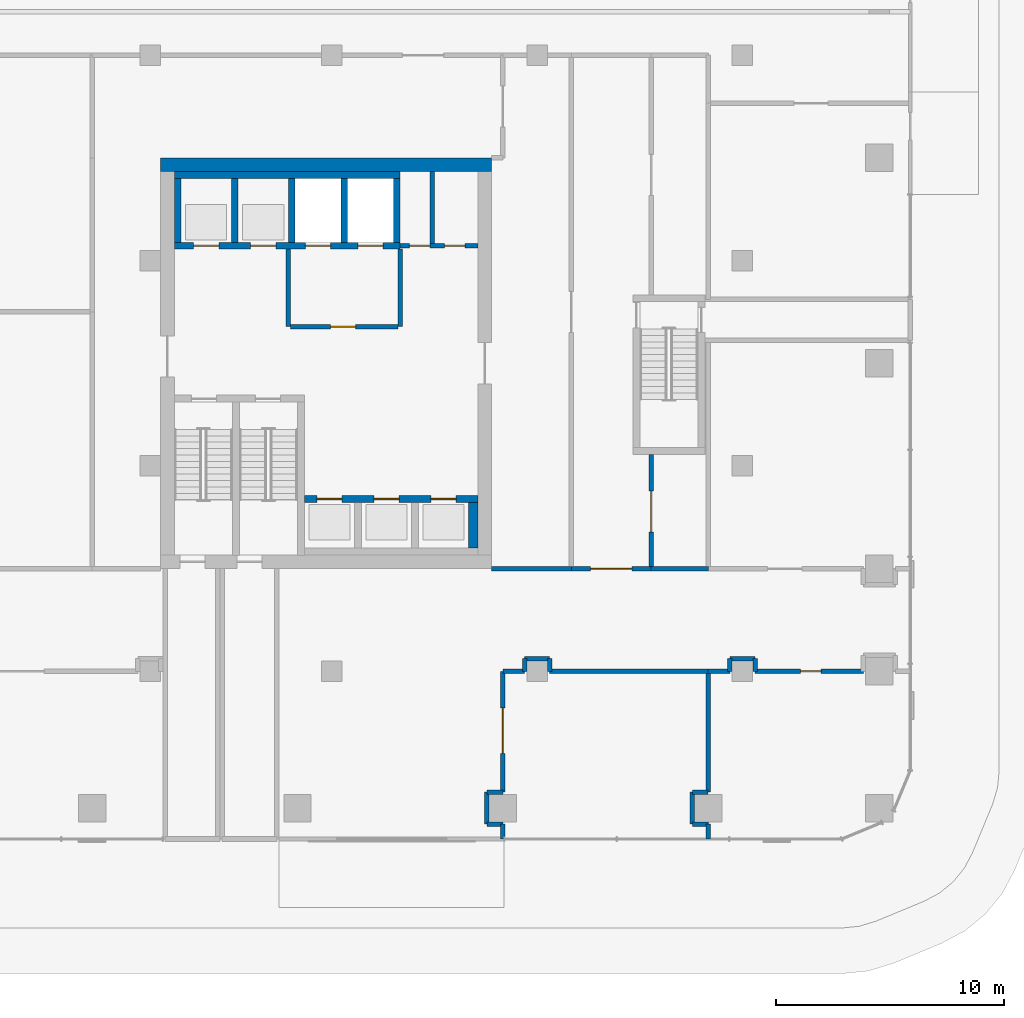
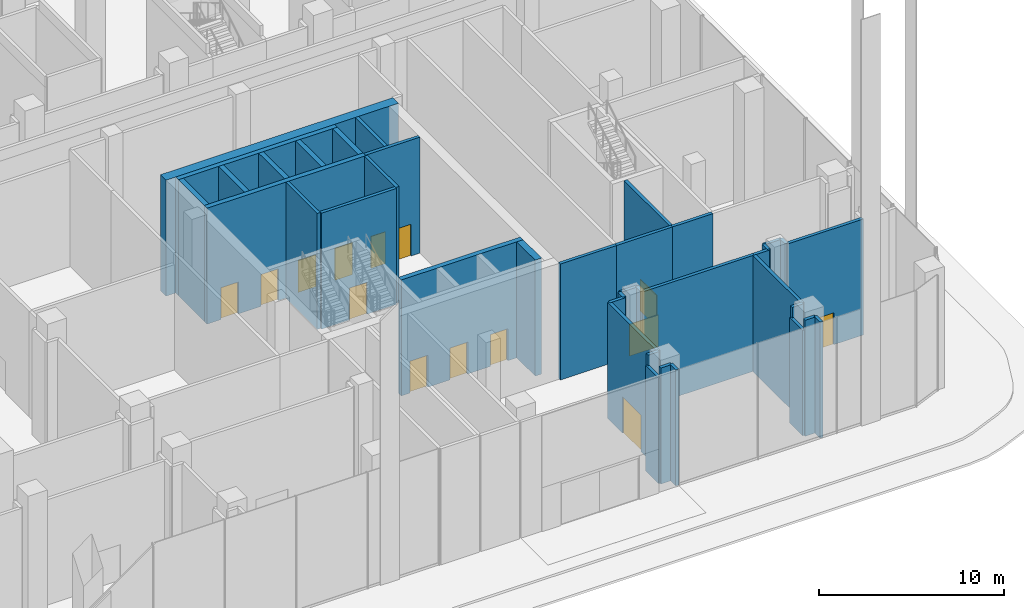
# One storey, part 22 of 42: 39 walls, 14 doors, 14 openings.
"""IFC4 building model written with IfcOpenShell, lengths in metres."""

from ifc_helpers import new_model, si_unit, direction, frame, frame_2d, origin, place, context, subcontext, project, spatial, rectangle, extrude, material, layer, layer_set, type_object, element, fill, save


model = new_model("IFC4")

# Units and contexts
model_context = context("Model", 3, precision=1e-05, world=origin(), true_north=direction((0.0, 1.0)))
body_context = subcontext(model_context, "Body", "Model", "MODEL_VIEW")
ifc_project = project(units=[si_unit("LENGTHUNIT", "METRE"), si_unit("AREAUNIT", "SQUARE_METRE"), si_unit("VOLUMEUNIT", "CUBIC_METRE"), si_unit("PLANEANGLEUNIT", "RADIAN"), si_unit("MASSUNIT", "GRAM", prefix="KILO")], contexts=[model_context])

# Site, building, storey
site_placement = place(None, origin())
site = spatial("IfcSite", under=ifc_project, at=site_placement, CompositionType="ELEMENT")
building_placement = place(site_placement, origin())
building = spatial("IfcBuilding", under=site, at=building_placement, Name="Plateau Cross Towers", CompositionType="ELEMENT")
storey_placement = place(building_placement, origin())
storey = spatial("IfcBuildingStorey", under=building, at=storey_placement, Name="L00", CompositionType="ELEMENT", Elevation=0.0)

# Wall
ifc_material_1 = material(Name="Concrete block, plastered both sides", Category="concrete")
ifc_layer_1 = layer(ifc_material_1, 0.199951171875)
ifc_layer_set_1 = layer_set([ifc_layer_1], Name="Concrete block, plastered both sides")
wall_type_1 = type_object("IfcWallType", Name="Core partition 200", PredefinedType="PARTITIONING", material=ifc_layer_set_1)
wall_1_placement = place(storey_placement, frame((80.60009765625, 10.60009765625, 0.0), z_axis=(0.0, 0.0, 1.0), x_axis=(0.0, 1.0, 0.0)))
element("IfcWall", 1, at=wall_1_placement, inside=storey, type_object=wall_type_1, Name="Core partition", PredefinedType="PARTITIONING", context=body_context, shape_type="SweptSolid", body=[
    extrude(rectangle(XDim=3.39990234375, YDim=0.199951171875, at=frame_2d((1.699951171875, 0.0))), origin(), (0.0, 0.0, 1.0), 7.64990234375),
])

# Wall, opening, door
wall_2_placement = place(storey_placement, frame((80.699951171875, 10.60009765625, 0.0), z_axis=(0.0, 0.0, 1.0), x_axis=(1.0, 0.0, 0.0)))
wall_2 = element("IfcWall", 2, at=wall_2_placement, inside=storey, type_object=wall_type_1, Name="Core partition", PredefinedType="PARTITIONING", context=body_context, shape_type="SweptSolid", body=[
    extrude(rectangle(XDim=4.699951171875, YDim=0.199951171875, at=frame_2d((2.35009765625, 0.0))), origin(), (0.0, 0.0, 1.0), 7.64990234375),
])
opening_1_placement = place(wall_2_placement, frame((1.75, 0.0, 0.0)))
opening_1 = element("IfcOpeningElement", 3, at=opening_1_placement, cuts=wall_2, Name="Opening FFD", PredefinedType="OPENING", context=body_context, shape_type="SweptSolid", body=[
    extrude(rectangle(XDim=1.10009765625, YDim=2.10009765625, at=frame_2d((0.550048828125, 1.050048828125))), frame((0.0, 0.10986328125, 0.0), z_axis=(0.0, -1.0, 0.0), x_axis=(1.0, 0.0, 0.0)), (0.0, 0.0, 1.0), 0.219970703125),
])
ifc_material_2 = material(Name="Steel, fire-resisting leaf", Category="steel")
door_type_1 = type_object("IfcDoorType", Name="Firefighting lobby door 1100", OperationType="NOTDEFINED", PredefinedType="DOOR", material=ifc_material_2)
door_1_placement = place(opening_1_placement, origin())
door_1 = element("IfcDoor", 4, at=door_1_placement, inside=storey, type_object=door_type_1, Name="Firefighting lobby door FFD", OperationType="SINGLE_SWING_LEFT", OverallHeight=2.10009765625, OverallWidth=1.10009765625, PredefinedType="DOOR", context=body_context, shape_type="SweptSolid", body=[
    extrude(rectangle(XDim=1.10009765625, YDim=2.10009765625, at=frame_2d((0.550048828125, 1.050048828125))), frame((0.0, 0.02490234375, 0.0), z_axis=(0.0, -1.0, 0.0), x_axis=(1.0, 0.0, 0.0)), (0.0, 0.0, 1.0), 0.050048828125),
])
fill(opening_1, door_1)

# Wall
wall_3_placement = place(storey_placement, frame((85.5, 10.60009765625, 0.0), z_axis=(0.0, 0.0, 1.0), x_axis=(0.0, 1.0, 0.0)))
element("IfcWall", 5, at=wall_3_placement, inside=storey, type_object=wall_type_1, Name="Core partition", PredefinedType="PARTITIONING", context=body_context, shape_type="SweptSolid", body=[
    extrude(rectangle(XDim=3.39990234375, YDim=0.199951171875, at=frame_2d((1.699951171875, 0.0))), origin(), (0.0, 0.0, 1.0), 7.64990234375),
])

# Wall, openings, doors
wall_4_placement = place(storey_placement, frame((85.5, 14.14990234375, 0.0), z_axis=(0.0, 0.0, 1.0), x_axis=(1.0, 0.0, 0.0)))
wall_4 = element("IfcWall", 6, at=wall_4_placement, inside=storey, type_object=wall_type_1, Name="Core partition", PredefinedType="PARTITIONING", context=body_context, shape_type="SweptSolid", body=[
    extrude(rectangle(XDim=3.39990234375, YDim=0.199951171875, at=frame_2d((1.699951171875, 0.0))), origin(), (0.0, 0.0, 1.0), 7.64990234375),
])
opening_2_placement = place(wall_4_placement, frame((0.39990234375, 0.0, 0.0)))
opening_2 = element("IfcOpeningElement", 7, at=opening_2_placement, cuts=wall_4, Name="Opening RD2", PredefinedType="OPENING", context=body_context, shape_type="SweptSolid", body=[
    extrude(rectangle(XDim=0.89990234375, YDim=2.10009765625, at=frame_2d((0.449951171875, 1.050048828125))), frame((0.0, 0.10986328125, 0.0), z_axis=(0.0, -1.0, 0.0), x_axis=(1.0, 0.0, 0.0)), (0.0, 0.0, 1.0), 0.219970703125),
])
opening_3_placement = place(wall_4_placement, frame((1.949951171875, 0.0, 0.0)))
opening_3 = element("IfcOpeningElement", 8, at=opening_3_placement, cuts=wall_4, Name="Opening RD2", PredefinedType="OPENING", context=body_context, shape_type="SweptSolid", body=[
    extrude(rectangle(XDim=0.89990234375, YDim=2.10009765625, at=frame_2d((0.449951171875, 1.050048828125))), frame((0.0, 0.10986328125, 0.0), z_axis=(0.0, -1.0, 0.0), x_axis=(1.0, 0.0, 0.0)), (0.0, 0.0, 1.0), 0.219970703125),
])
door_type_2 = type_object("IfcDoorType", Name="Core riser door 900", OperationType="NOTDEFINED", PredefinedType="DOOR", material=ifc_material_2)
door_2_placement = place(opening_2_placement, origin())
door_2 = element("IfcDoor", 9, at=door_2_placement, inside=storey, type_object=door_type_2, Name="Core riser door RD2", OperationType="SINGLE_SWING_LEFT", OverallHeight=2.10009765625, OverallWidth=0.89990234375, PredefinedType="DOOR", context=body_context, shape_type="SweptSolid", body=[
    extrude(rectangle(XDim=0.89990234375, YDim=2.10009765625, at=frame_2d((0.449951171875, 1.050048828125))), frame((0.0, 0.02490234375, 0.0), z_axis=(0.0, -1.0, 0.0), x_axis=(1.0, 0.0, 0.0)), (0.0, 0.0, 1.0), 0.050048828125),
])
fill(opening_2, door_2)
door_3_placement = place(opening_3_placement, origin())
door_3 = element("IfcDoor", 10, at=door_3_placement, inside=storey, type_object=door_type_2, Name="Core riser door RD2", OperationType="SINGLE_SWING_LEFT", OverallHeight=2.10009765625, OverallWidth=0.89990234375, PredefinedType="DOOR", context=body_context, shape_type="SweptSolid", body=[
    extrude(rectangle(XDim=0.89990234375, YDim=2.10009765625, at=frame_2d((0.449951171875, 1.050048828125))), frame((0.0, 0.02490234375, 0.0), z_axis=(0.0, -1.0, 0.0), x_axis=(1.0, 0.0, 0.0)), (0.0, 0.0, 1.0), 0.050048828125),
])
fill(opening_3, door_3)

# Wall
wall_5_placement = place(storey_placement, frame((86.89990234375, 14.25, 0.0), z_axis=(0.0, 0.0, 1.0), x_axis=(0.0, 1.0, 0.0)))
element("IfcWall", 11, at=wall_5_placement, inside=storey, type_object=wall_type_1, Name="Core partition", PredefinedType="PARTITIONING", context=body_context, shape_type="SweptSolid", body=[
    extrude(rectangle(XDim=3.14990234375, YDim=0.199951171875, at=frame_2d((1.574951171875, 0.0))), origin(), (0.0, 0.0, 1.0), 7.64990234375),
])

# Wall, openings, doors
ifc_material_3 = material(Name="Concrete C60/75", Category="concrete")
ifc_layer_2 = layer(ifc_material_3, 0.300048828125)
ifc_layer_set_2 = layer_set([ifc_layer_2], Name="Concrete C60/75")
wall_type_2 = type_object("IfcWallType", Name="Core shaft wall 300", PredefinedType="SHEAR", material=ifc_layer_set_2)
wall_6_placement = place(storey_placement, frame((81.300048828125, 3.050048828125, 0.0), z_axis=(0.0, 0.0, 1.0), x_axis=(1.0, 0.0, 0.0)))
wall_6 = element("IfcWall", 12, at=wall_6_placement, inside=storey, type_object=wall_type_2, Name="B-sb-front@L00", PredefinedType="SHEAR", context=body_context, shape_type="SweptSolid", body=[
    extrude(rectangle(XDim=7.599853515625, YDim=0.300048828125, at=frame_2d((3.7998046875, 0.0))), origin(), (0.0, 0.0, 1.0), 7.64990234375),
])
opening_4_placement = place(wall_6_placement, frame((0.550048828125, 0.0, 0.0)))
opening_4 = element("IfcOpeningElement", 13, at=opening_4_placement, cuts=wall_6, Name="Opening LD", PredefinedType="OPENING", context=body_context, shape_type="SweptSolid", body=[
    extrude(rectangle(XDim=1.10009765625, YDim=2.10009765625, at=frame_2d((0.550048828125, 1.050048828125))), frame((0.0, 0.159912109375, 0.0), z_axis=(0.0, -1.0, 0.0), x_axis=(1.0, 0.0, 0.0)), (0.0, 0.0, 1.0), 0.320068359375),
])
opening_5_placement = place(wall_6_placement, frame((3.050048828125, 0.0, 0.0)))
opening_5 = element("IfcOpeningElement", 14, at=opening_5_placement, cuts=wall_6, Name="Opening LD", PredefinedType="OPENING", context=body_context, shape_type="SweptSolid", body=[
    extrude(rectangle(XDim=1.10009765625, YDim=2.10009765625, at=frame_2d((0.550048828125, 1.050048828125))), frame((0.0, 0.159912109375, 0.0), z_axis=(0.0, -1.0, 0.0), x_axis=(1.0, 0.0, 0.0)), (0.0, 0.0, 1.0), 0.320068359375),
])
opening_6_placement = place(wall_6_placement, frame((5.550048828125, 0.0, 0.0)))
opening_6 = element("IfcOpeningElement", 15, at=opening_6_placement, cuts=wall_6, Name="Opening LD", PredefinedType="OPENING", context=body_context, shape_type="SweptSolid", body=[
    extrude(rectangle(XDim=1.10009765625, YDim=2.10009765625, at=frame_2d((0.550048828125, 1.050048828125))), frame((0.0, 0.159912109375, 0.0), z_axis=(0.0, -1.0, 0.0), x_axis=(1.0, 0.0, 0.0)), (0.0, 0.0, 1.0), 0.320068359375),
])
ifc_material_4 = material(Name="Stainless steel, fire-resisting sliding leaves", Category="steel")
door_type_3 = type_object("IfcDoorType", Name="Lift landing door 1100", OperationType="NOTDEFINED", PredefinedType="DOOR", material=ifc_material_4)
door_4_placement = place(opening_4_placement, origin())
door_4 = element("IfcDoor", 16, at=door_4_placement, inside=storey, type_object=door_type_3, Name="Lift landing door LD", OperationType="DOUBLE_DOOR_SLIDING", OverallHeight=2.10009765625, OverallWidth=1.10009765625, PredefinedType="DOOR", context=body_context, shape_type="SweptSolid", body=[
    extrude(rectangle(XDim=1.10009765625, YDim=2.10009765625, at=frame_2d((0.550048828125, 1.050048828125))), frame((0.0, 0.02490234375, 0.0), z_axis=(0.0, -1.0, 0.0), x_axis=(1.0, 0.0, 0.0)), (0.0, 0.0, 1.0), 0.050048828125),
])
fill(opening_4, door_4)
door_5_placement = place(opening_5_placement, origin())
door_5 = element("IfcDoor", 17, at=door_5_placement, inside=storey, type_object=door_type_3, Name="Lift landing door LD", OperationType="DOUBLE_DOOR_SLIDING", OverallHeight=2.10009765625, OverallWidth=1.10009765625, PredefinedType="DOOR", context=body_context, shape_type="SweptSolid", body=[
    extrude(rectangle(XDim=1.10009765625, YDim=2.10009765625, at=frame_2d((0.550048828125, 1.050048828125))), frame((0.0, 0.02490234375, 0.0), z_axis=(0.0, -1.0, 0.0), x_axis=(1.0, 0.0, 0.0)), (0.0, 0.0, 1.0), 0.050048828125),
])
fill(opening_5, door_5)
door_6_placement = place(opening_6_placement, origin())
door_6 = element("IfcDoor", 18, at=door_6_placement, inside=storey, type_object=door_type_3, Name="Lift landing door LD", OperationType="DOUBLE_DOOR_SLIDING", OverallHeight=2.10009765625, OverallWidth=1.10009765625, PredefinedType="DOOR", context=body_context, shape_type="SweptSolid", body=[
    extrude(rectangle(XDim=1.10009765625, YDim=2.10009765625, at=frame_2d((0.550048828125, 1.050048828125))), frame((0.0, 0.02490234375, 0.0), z_axis=(0.0, -1.0, 0.0), x_axis=(1.0, 0.0, 0.0)), (0.0, 0.0, 1.0), 0.050048828125),
])
fill(opening_6, door_6)

# Wall
wall_7_placement = place(storey_placement, frame((75.60009765625, 17.25, 0.0), z_axis=(0.0, 0.0, 1.0), x_axis=(1.0, 0.0, 0.0)))
element("IfcWall", 19, at=wall_7_placement, inside=storey, type_object=wall_type_2, Name="B-nb-back@L00", PredefinedType="SHEAR", context=body_context, shape_type="SweptSolid", body=[
    extrude(rectangle(XDim=9.89990234375, YDim=0.300048828125, at=frame_2d((4.949951171875, 0.0))), origin(), (0.0, 0.0, 1.0), 7.64990234375),
])

# Wall, openings, doors
wall_8_placement = place(storey_placement, frame((75.60009765625, 14.14990234375, 0.0), z_axis=(0.0, 0.0, 1.0), x_axis=(1.0, 0.0, 0.0)))
wall_8 = element("IfcWall", 20, at=wall_8_placement, inside=storey, type_object=wall_type_2, Name="B-nb-front@L00", PredefinedType="SHEAR", context=body_context, shape_type="SweptSolid", body=[
    extrude(rectangle(XDim=9.89990234375, YDim=0.300048828125, at=frame_2d((4.949951171875, 0.0))), origin(), (0.0, 0.0, 1.0), 7.64990234375),
])
opening_7_placement = place(wall_8_placement, frame((0.85009765625, 0.0, 0.0)))
opening_7 = element("IfcOpeningElement", 21, at=opening_7_placement, cuts=wall_8, Name="Opening LD", PredefinedType="OPENING", context=body_context, shape_type="SweptSolid", body=[
    extrude(rectangle(XDim=1.10009765625, YDim=2.10009765625, at=frame_2d((0.550048828125, 1.050048828125))), frame((0.0, 0.159912109375, 0.0), z_axis=(0.0, -1.0, 0.0), x_axis=(1.0, 0.0, 0.0)), (0.0, 0.0, 1.0), 0.320068359375),
])
opening_8_placement = place(wall_8_placement, frame((3.35009765625, 0.0, 0.0)))
opening_8 = element("IfcOpeningElement", 22, at=opening_8_placement, cuts=wall_8, Name="Opening LD", PredefinedType="OPENING", context=body_context, shape_type="SweptSolid", body=[
    extrude(rectangle(XDim=1.10009765625, YDim=2.10009765625, at=frame_2d((0.550048828125, 1.050048828125))), frame((0.0, 0.159912109375, 0.0), z_axis=(0.0, -1.0, 0.0), x_axis=(1.0, 0.0, 0.0)), (0.0, 0.0, 1.0), 0.320068359375),
])
opening_9_placement = place(wall_8_placement, frame((5.75, 0.0, 0.0)))
opening_9 = element("IfcOpeningElement", 23, at=opening_9_placement, cuts=wall_8, Name="Opening LD", PredefinedType="OPENING", context=body_context, shape_type="SweptSolid", body=[
    extrude(rectangle(XDim=1.10009765625, YDim=2.10009765625, at=frame_2d((0.550048828125, 1.050048828125))), frame((0.0, 0.159912109375, 0.0), z_axis=(0.0, -1.0, 0.0), x_axis=(1.0, 0.0, 0.0)), (0.0, 0.0, 1.0), 0.320068359375),
])
opening_10_placement = place(wall_8_placement, frame((8.050048828125, 0.0, 0.0)))
opening_10 = element("IfcOpeningElement", 24, at=opening_10_placement, cuts=wall_8, Name="Opening LD", PredefinedType="OPENING", context=body_context, shape_type="SweptSolid", body=[
    extrude(rectangle(XDim=1.10009765625, YDim=2.10009765625, at=frame_2d((0.550048828125, 1.050048828125))), frame((0.0, 0.159912109375, 0.0), z_axis=(0.0, -1.0, 0.0), x_axis=(1.0, 0.0, 0.0)), (0.0, 0.0, 1.0), 0.320068359375),
])
door_7_placement = place(opening_7_placement, origin())
door_7 = element("IfcDoor", 25, at=door_7_placement, inside=storey, type_object=door_type_3, Name="Lift landing door LD", OperationType="DOUBLE_DOOR_SLIDING", OverallHeight=2.10009765625, OverallWidth=1.10009765625, PredefinedType="DOOR", context=body_context, shape_type="SweptSolid", body=[
    extrude(rectangle(XDim=1.10009765625, YDim=2.10009765625, at=frame_2d((0.550048828125, 1.050048828125))), frame((0.0, 0.02490234375, 0.0), z_axis=(0.0, -1.0, 0.0), x_axis=(1.0, 0.0, 0.0)), (0.0, 0.0, 1.0), 0.050048828125),
])
fill(opening_7, door_7)
door_8_placement = place(opening_8_placement, origin())
door_8 = element("IfcDoor", 26, at=door_8_placement, inside=storey, type_object=door_type_3, Name="Lift landing door LD", OperationType="DOUBLE_DOOR_SLIDING", OverallHeight=2.10009765625, OverallWidth=1.10009765625, PredefinedType="DOOR", context=body_context, shape_type="SweptSolid", body=[
    extrude(rectangle(XDim=1.10009765625, YDim=2.10009765625, at=frame_2d((0.550048828125, 1.050048828125))), frame((0.0, 0.02490234375, 0.0), z_axis=(0.0, -1.0, 0.0), x_axis=(1.0, 0.0, 0.0)), (0.0, 0.0, 1.0), 0.050048828125),
])
fill(opening_8, door_8)
door_9_placement = place(opening_9_placement, origin())
door_9 = element("IfcDoor", 27, at=door_9_placement, inside=storey, type_object=door_type_3, Name="Lift landing door LD", OperationType="DOUBLE_DOOR_SLIDING", OverallHeight=2.10009765625, OverallWidth=1.10009765625, PredefinedType="DOOR", context=body_context, shape_type="SweptSolid", body=[
    extrude(rectangle(XDim=1.10009765625, YDim=2.10009765625, at=frame_2d((0.550048828125, 1.050048828125))), frame((0.0, 0.02490234375, 0.0), z_axis=(0.0, -1.0, 0.0), x_axis=(1.0, 0.0, 0.0)), (0.0, 0.0, 1.0), 0.050048828125),
])
fill(opening_9, door_9)
door_10_placement = place(opening_10_placement, origin())
door_10 = element("IfcDoor", 28, at=door_10_placement, inside=storey, type_object=door_type_3, Name="Lift landing door LD", OperationType="DOUBLE_DOOR_SLIDING", OverallHeight=2.10009765625, OverallWidth=1.10009765625, PredefinedType="DOOR", context=body_context, shape_type="SweptSolid", body=[
    extrude(rectangle(XDim=1.10009765625, YDim=2.10009765625, at=frame_2d((0.550048828125, 1.050048828125))), frame((0.0, 0.02490234375, 0.0), z_axis=(0.0, -1.0, 0.0), x_axis=(1.0, 0.0, 0.0)), (0.0, 0.0, 1.0), 0.050048828125),
])
fill(opening_10, door_10)

# Walls
for number, where, z_axis, x_axis, name in (
    (29, (75.75, 14.300048828125, 0.0), (0.0, 0.0, 1.0), (0.0, 1.0, 0.0), "B-nb-v0@L00"),
    (30, (78.25, 14.300048828125, 0.0), (0.0, 0.0, 1.0), (0.0, 1.0, 0.0), "B-nb-v1@L00"),
    (31, (80.75, 14.300048828125, 0.0), (0.0, 0.0, 1.0), (0.0, 1.0, 0.0), "B-nb-v2@L00"),
    (32, (83.050048828125, 14.300048828125, 0.0), (0.0, 0.0, 1.0), (0.0, 1.0, 0.0), "B-nb-v3@L00"),
    (33, (85.35009765625, 14.300048828125, 0.0), (0.0, 0.0, 1.0), (0.0, 1.0, 0.0), "B-nb-v4@L00"),
):
    element("IfcWall", number, at=place(storey_placement, frame(where, z_axis=z_axis, x_axis=x_axis)), inside=storey, type_object=wall_type_2, Name=name, PredefinedType="SHEAR", context=body_context, shape_type="SweptSolid", body=[
        extrude(rectangle(XDim=2.800048828125, YDim=0.300048828125, at=frame_2d((1.39990234375, 0.0))), origin(), (0.0, 0.0, 1.0), 7.64990234375),
    ])
ifc_layer_3 = layer(ifc_material_3, 0.39990234375)
ifc_layer_set_3 = layer_set([ifc_layer_3], Name="Concrete C60/75")
wall_type_3 = type_object("IfcWallType", Name="Core shaft wall 400", PredefinedType="SHEAR", material=ifc_layer_set_3)
wall_9_placement = place(storey_placement, frame((88.699951171875, 0.89990234375, 0.0), z_axis=(0.0, 0.0, 1.0), x_axis=(0.0, 1.0, 0.0)))
element("IfcWall", 34, at=wall_9_placement, inside=storey, type_object=wall_type_3, Name="B-sb-v3@L00", PredefinedType="SHEAR", context=body_context, shape_type="SweptSolid", body=[
    extrude(rectangle(XDim=2.0, YDim=0.39990234375, at=frame_2d((1.0, 0.0))), origin(), (0.0, 0.0, 1.0), 7.64990234375),
])
ifc_layer_4 = layer(ifc_material_3, 0.60009765625)
ifc_layer_set_4 = layer_set([ifc_layer_4], Name="Concrete C60/75")
wall_type_4 = type_object("IfcWallType", Name="Core shell wall 600", PredefinedType="SHEAR", material=ifc_layer_set_4)
wall_10_placement = place(storey_placement, frame((75.0, 17.699951171875, 0.0), z_axis=(0.0, 0.0, 1.0), x_axis=(1.0, 0.0, 0.0)))
element("IfcWall", 35, at=wall_10_placement, inside=storey, type_object=wall_type_4, Name="B-core-N@L00", PredefinedType="SHEAR", context=body_context, shape_type="SweptSolid", body=[
    extrude(rectangle(XDim=14.5, YDim=0.60009765625, at=frame_2d((7.25, 0.0))), origin(), (0.0, 0.0, 1.0), 7.64990234375),
])

# Wall, opening, door
ifc_material_5 = material(Name="Gypsum board on steel studs, two layers each side", Category="steel")
ifc_layer_5 = layer(ifc_material_5, 0.199951171875)
ifc_layer_set_5 = layer_set([ifc_layer_5], Name="Gypsum board on steel studs, two layers each side")
wall_type_5 = type_object("IfcWallType", Name="Podium compartment wall 200", PredefinedType="PARTITIONING", material=ifc_layer_set_5)
wall_11_placement = place(storey_placement, frame((105.800048828125, -4.5, 0.0), z_axis=(0.0, 0.0, 1.0), x_axis=(-1.0, 0.0, 0.0)))
wall_11 = element("IfcWall", 36, at=wall_11_placement, inside=storey, type_object=wall_type_5, Name="Partition wall", PredefinedType="PARTITIONING", context=body_context, shape_type="SweptSolid", body=[
    extrude(rectangle(XDim=4.75, YDim=0.199951171875, at=frame_2d((2.375, 0.0))), origin(), (0.0, 0.0, 1.0), 7.64990234375),
])
opening_11_placement = place(wall_11_placement, frame((1.85009765625, 0.0, 0.0)))
opening_11 = element("IfcOpeningElement", 37, at=opening_11_placement, cuts=wall_11, Name="Opening 00-19", PredefinedType="OPENING", context=body_context, shape_type="SweptSolid", body=[
    extrude(rectangle(XDim=0.89990234375, YDim=2.10009765625, at=frame_2d((0.449951171875, 1.050048828125))), frame((0.0, 0.10986328125, 0.0), z_axis=(0.0, -1.0, 0.0), x_axis=(1.0, 0.0, 0.0)), (0.0, 0.0, 1.0), 0.219970703125),
])
ifc_material_6 = material(Name="Timber, fire-resisting leaf", Category="wood")
door_type_4 = type_object("IfcDoorType", Name="Podium service door 900", OperationType="NOTDEFINED", PredefinedType="DOOR", material=ifc_material_6)
door_11_placement = place(opening_11_placement, origin())
door_11 = element("IfcDoor", 38, at=door_11_placement, inside=storey, type_object=door_type_4, Name="Door 00-19", OperationType="SINGLE_SWING_LEFT", OverallHeight=2.10009765625, OverallWidth=0.89990234375, PredefinedType="DOOR", context=body_context, shape_type="SweptSolid", body=[
    extrude(rectangle(XDim=0.89990234375, YDim=2.10009765625, at=frame_2d((0.449951171875, 1.050048828125))), frame((0.0, 0.02490234375, 0.0), z_axis=(0.0, -1.0, 0.0), x_axis=(1.0, 0.0, 0.0)), (0.0, 0.0, 1.0), 0.050048828125),
])
fill(opening_11, door_11)

# Walls
ifc_material_7 = material(Name="Gypsum board on steel studs", Category="steel")
ifc_layer_6 = layer(ifc_material_7, 0.199951171875)
ifc_layer_set_6 = layer_set([ifc_layer_6], Name="Gypsum board on steel studs")
wall_type_6 = type_object("IfcWallType", Name="Podium partition 200", PredefinedType="PARTITIONING", material=ifc_layer_set_6)
wall_12_placement = place(storey_placement, frame((99.0, -4.5, 0.0), z_axis=(0.0, 0.0, 1.0), x_axis=(-1.0, 0.0, 0.0)))
element("IfcWall", 39, at=wall_12_placement, inside=storey, type_object=wall_type_6, Name="Partition wall", PredefinedType="PARTITIONING", context=body_context, shape_type="SweptSolid", body=[
    extrude(rectangle(XDim=6.949951171875, YDim=0.199951171875, at=frame_2d((3.47509765625, 0.0))), origin(), (0.0, 0.0, 1.0), 7.64990234375),
])
wall_13_placement = place(storey_placement, frame((92.050048828125, -4.5, 0.0), z_axis=(0.0, 0.0, 1.0), x_axis=(0.0, 1.0, 0.0)))
element("IfcWall", 40, at=wall_13_placement, inside=storey, type_object=wall_type_6, Name="Partition wall", PredefinedType="PARTITIONING", context=body_context, shape_type="SweptSolid", body=[
    extrude(rectangle(XDim=0.550048828125, YDim=0.199951171875, at=frame_2d((0.27490234375, 0.0))), origin(), (0.0, 0.0, 1.0), 7.64990234375),
])
wall_14_placement = place(storey_placement, frame((92.050048828125, -3.949951171875, 0.0), z_axis=(0.0, 0.0, 1.0), x_axis=(-1.0, 0.0, 0.0)))
element("IfcWall", 41, at=wall_14_placement, inside=storey, type_object=wall_type_6, Name="Partition wall", PredefinedType="PARTITIONING", context=body_context, shape_type="SweptSolid", body=[
    extrude(rectangle(XDim=1.10009765625, YDim=0.199951171875, at=frame_2d((0.550048828125, 0.0))), origin(), (0.0, 0.0, 1.0), 7.64990234375),
])
wall_15_placement = place(storey_placement, frame((90.949951171875, -3.949951171875, 0.0), z_axis=(0.0, 0.0, 1.0), x_axis=(0.0, -1.0, 0.0)))
element("IfcWall", 42, at=wall_15_placement, inside=storey, type_object=wall_type_6, Name="Partition wall", PredefinedType="PARTITIONING", context=body_context, shape_type="SweptSolid", body=[
    extrude(rectangle(XDim=0.550048828125, YDim=0.199951171875, at=frame_2d((0.27490234375, 0.0))), origin(), (0.0, 0.0, 1.0), 7.64990234375),
])
wall_16_placement = place(storey_placement, frame((90.949951171875, -4.5, 0.0), z_axis=(0.0, 0.0, 1.0), x_axis=(-1.0, 0.0, 0.0)))
element("IfcWall", 43, at=wall_16_placement, inside=storey, type_object=wall_type_6, Name="Partition wall", PredefinedType="PARTITIONING", context=body_context, shape_type="SweptSolid", body=[
    extrude(rectangle(XDim=0.949951171875, YDim=0.199951171875, at=frame_2d((0.47509765625, 0.0))), origin(), (0.0, 0.0, 1.0), 7.64990234375),
])

# Wall, opening, door
wall_17_placement = place(storey_placement, frame((90.0, -4.5, 0.0), z_axis=(0.0, 0.0, 1.0), x_axis=(0.0, -1.0, 0.0)))
wall_17 = element("IfcWall", 44, at=wall_17_placement, inside=storey, type_object=wall_type_6, Name="Partition wall", PredefinedType="PARTITIONING", context=body_context, shape_type="SweptSolid", body=[
    extrude(rectangle(XDim=5.300048828125, YDim=0.199951171875, at=frame_2d((2.64990234375, 0.0))), origin(), (0.0, 0.0, 1.0), 7.64990234375),
])
opening_12_placement = place(wall_17_placement, frame((1.60009765625, 0.0, 0.0)))
opening_12 = element("IfcOpeningElement", 45, at=opening_12_placement, cuts=wall_17, Name="Opening 00-18", PredefinedType="OPENING", context=body_context, shape_type="SweptSolid", body=[
    extrude(rectangle(XDim=2.0, YDim=2.39990234375, at=frame_2d((1.0, 1.199951171875))), frame((0.0, 0.10986328125, 0.0), z_axis=(0.0, -1.0, 0.0), x_axis=(1.0, 0.0, 0.0)), (0.0, 0.0, 1.0), 0.219970703125),
])
ifc_material_8 = material(Name="Aluminium frame, toughened glass", Category="aluminium")
door_type_5 = type_object("IfcDoorType", Name="Shop entrance double door 2000x2400", OperationType="NOTDEFINED", PredefinedType="DOOR", material=ifc_material_8)
door_12_placement = place(opening_12_placement, origin())
door_12 = element("IfcDoor", 46, at=door_12_placement, inside=storey, type_object=door_type_5, Name="Door 00-18", OperationType="SINGLE_SWING_LEFT", OverallHeight=2.39990234375, OverallWidth=2.0, PredefinedType="DOOR", context=body_context, shape_type="SweptSolid", body=[
    extrude(rectangle(XDim=2.0, YDim=2.39990234375, at=frame_2d((1.0, 1.199951171875))), frame((0.0, 0.02490234375, 0.0), z_axis=(0.0, -1.0, 0.0), x_axis=(1.0, 0.0, 0.0)), (0.0, 0.0, 1.0), 0.050048828125),
])
fill(opening_12, door_12)

# Walls
wall_18_placement = place(storey_placement, frame((90.0, -9.800048828125, 0.0), z_axis=(0.0, 0.0, 1.0), x_axis=(-1.0, 0.0, 0.0)))
element("IfcWall", 47, at=wall_18_placement, inside=storey, type_object=wall_type_6, Name="Partition wall", PredefinedType="PARTITIONING", context=body_context, shape_type="SweptSolid", body=[
    extrude(rectangle(XDim=0.699951171875, YDim=0.199951171875, at=frame_2d((0.35009765625, 0.0))), origin(), (0.0, 0.0, 1.0), 7.64990234375),
])
wall_19_placement = place(storey_placement, frame((89.300048828125, -9.800048828125, 0.0), z_axis=(0.0, 0.0, 1.0), x_axis=(0.0, -1.0, 0.0)))
element("IfcWall", 48, at=wall_19_placement, inside=storey, type_object=wall_type_6, Name="Partition wall", PredefinedType="PARTITIONING", context=body_context, shape_type="SweptSolid", body=[
    extrude(rectangle(XDim=1.39990234375, YDim=0.199951171875, at=frame_2d((0.699951171875, 0.0))), origin(), (0.0, 0.0, 1.0), 6.949951171875),
])
wall_20_placement = place(storey_placement, frame((89.300048828125, -11.199951171875, 0.0), z_axis=(0.0, 0.0, 1.0), x_axis=(1.0, 0.0, 0.0)))
element("IfcWall", 49, at=wall_20_placement, inside=storey, type_object=wall_type_6, Name="Partition wall", PredefinedType="PARTITIONING", context=body_context, shape_type="SweptSolid", body=[
    extrude(rectangle(XDim=0.699951171875, YDim=0.199951171875, at=frame_2d((0.35009765625, 0.0))), origin(), (0.0, 0.0, 1.0), 7.64990234375),
])
wall_21_placement = place(storey_placement, frame((90.0, -11.199951171875, 0.0), z_axis=(0.0, 0.0, 1.0), x_axis=(0.0, -1.0, 0.0)))
element("IfcWall", 50, at=wall_21_placement, inside=storey, type_object=wall_type_6, Name="Partition wall", PredefinedType="PARTITIONING", context=body_context, shape_type="SweptSolid", body=[
    extrude(rectangle(XDim=0.650146484375, YDim=0.199951171875, at=frame_2d((0.3251953125, 0.0))), origin(), (0.0, 0.0, 1.0), 7.64990234375),
])
wall_22_placement = place(storey_placement, frame((101.050048828125, -4.5, 0.0), z_axis=(0.0, 0.0, 1.0), x_axis=(0.0, 1.0, 0.0)))
element("IfcWall", 51, at=wall_22_placement, inside=storey, type_object=wall_type_6, Name="Partition wall", PredefinedType="PARTITIONING", context=body_context, shape_type="SweptSolid", body=[
    extrude(rectangle(XDim=0.550048828125, YDim=0.199951171875, at=frame_2d((0.27490234375, 0.0))), origin(), (0.0, 0.0, 1.0), 7.64990234375),
])
wall_23_placement = place(storey_placement, frame((101.050048828125, -3.949951171875, 0.0), z_axis=(0.0, 0.0, 1.0), x_axis=(-1.0, 0.0, 0.0)))
element("IfcWall", 52, at=wall_23_placement, inside=storey, type_object=wall_type_6, Name="Partition wall", PredefinedType="PARTITIONING", context=body_context, shape_type="SweptSolid", body=[
    extrude(rectangle(XDim=1.10009765625, YDim=0.199951171875, at=frame_2d((0.550048828125, 0.0))), origin(), (0.0, 0.0, 1.0), 7.64990234375),
])
wall_24_placement = place(storey_placement, frame((99.949951171875, -3.949951171875, 0.0), z_axis=(0.0, 0.0, 1.0), x_axis=(0.0, -1.0, 0.0)))
element("IfcWall", 53, at=wall_24_placement, inside=storey, type_object=wall_type_6, Name="Partition wall", PredefinedType="PARTITIONING", context=body_context, shape_type="SweptSolid", body=[
    extrude(rectangle(XDim=0.550048828125, YDim=0.199951171875, at=frame_2d((0.27490234375, 0.0))), origin(), (0.0, 0.0, 1.0), 7.64990234375),
])
wall_25_placement = place(storey_placement, frame((99.949951171875, -4.5, 0.0), z_axis=(0.0, 0.0, 1.0), x_axis=(-1.0, 0.0, 0.0)))
element("IfcWall", 54, at=wall_25_placement, inside=storey, type_object=wall_type_6, Name="Partition wall", PredefinedType="PARTITIONING", context=body_context, shape_type="SweptSolid", body=[
    extrude(rectangle(XDim=0.949951171875, YDim=0.199951171875, at=frame_2d((0.47509765625, 0.0))), origin(), (0.0, 0.0, 1.0), 7.64990234375),
])
wall_26_placement = place(storey_placement, frame((99.0, -4.60009765625, 0.0), z_axis=(0.0, 0.0, 1.0), x_axis=(0.0, -1.0, 0.0)))
element("IfcWall", 55, at=wall_26_placement, inside=storey, type_object=wall_type_6, Name="Partition wall", PredefinedType="PARTITIONING", context=body_context, shape_type="SweptSolid", body=[
    extrude(rectangle(XDim=5.199951171875, YDim=0.199951171875, at=frame_2d((2.60009765625, 0.0))), origin(), (0.0, 0.0, 1.0), 7.64990234375),
])
wall_27_placement = place(storey_placement, frame((99.0, -9.800048828125, 0.0), z_axis=(0.0, 0.0, 1.0), x_axis=(-1.0, 0.0, 0.0)))
element("IfcWall", 56, at=wall_27_placement, inside=storey, type_object=wall_type_6, Name="Partition wall", PredefinedType="PARTITIONING", context=body_context, shape_type="SweptSolid", body=[
    extrude(rectangle(XDim=0.699951171875, YDim=0.199951171875, at=frame_2d((0.35009765625, 0.0))), origin(), (0.0, 0.0, 1.0), 7.64990234375),
])
wall_28_placement = place(storey_placement, frame((98.300048828125, -9.800048828125, 0.0), z_axis=(0.0, 0.0, 1.0), x_axis=(0.0, -1.0, 0.0)))
element("IfcWall", 57, at=wall_28_placement, inside=storey, type_object=wall_type_6, Name="Partition wall", PredefinedType="PARTITIONING", context=body_context, shape_type="SweptSolid", body=[
    extrude(rectangle(XDim=1.39990234375, YDim=0.199951171875, at=frame_2d((0.699951171875, 0.0))), origin(), (0.0, 0.0, 1.0), 6.949951171875),
])
wall_29_placement = place(storey_placement, frame((98.300048828125, -11.199951171875, 0.0), z_axis=(0.0, 0.0, 1.0), x_axis=(1.0, 0.0, 0.0)))
element("IfcWall", 58, at=wall_29_placement, inside=storey, type_object=wall_type_6, Name="Partition wall", PredefinedType="PARTITIONING", context=body_context, shape_type="SweptSolid", body=[
    extrude(rectangle(XDim=0.699951171875, YDim=0.199951171875, at=frame_2d((0.35009765625, 0.0))), origin(), (0.0, 0.0, 1.0), 7.64990234375),
])
wall_30_placement = place(storey_placement, frame((99.0, -11.199951171875, 0.0), z_axis=(0.0, 0.0, 1.0), x_axis=(0.0, -1.0, 0.0)))
element("IfcWall", 59, at=wall_30_placement, inside=storey, type_object=wall_type_6, Name="Partition wall", PredefinedType="PARTITIONING", context=body_context, shape_type="SweptSolid", body=[
    extrude(rectangle(XDim=0.650146484375, YDim=0.199951171875, at=frame_2d((0.3251953125, 0.0))), origin(), (0.0, 0.0, 1.0), 7.64990234375),
])

# Wall, opening, door
wall_31_placement = place(storey_placement, frame((96.5, 5.0, 0.0), z_axis=(0.0, 0.0, 1.0), x_axis=(0.0, -1.0, 0.0)))
wall_31 = element("IfcWall", 60, at=wall_31_placement, inside=storey, type_object=wall_type_6, Name="Partition wall", PredefinedType="PARTITIONING", context=body_context, shape_type="SweptSolid", body=[
    extrude(rectangle(XDim=5.0, YDim=0.199951171875, at=frame_2d((2.5, 0.0))), origin(), (0.0, 0.0, 1.0), 7.64990234375),
])
opening_13_placement = place(wall_31_placement, frame((1.60009765625, 0.0, 0.0)))
opening_13 = element("IfcOpeningElement", 61, at=opening_13_placement, cuts=wall_31, Name="Opening 00-39", PredefinedType="OPENING", context=body_context, shape_type="SweptSolid", body=[
    extrude(rectangle(XDim=1.800048828125, YDim=2.10009765625, at=frame_2d((0.89990234375, 1.050048828125))), frame((0.0, 0.10986328125, 0.0), z_axis=(0.0, -1.0, 0.0), x_axis=(1.0, 0.0, 0.0)), (0.0, 0.0, 1.0), 0.219970703125),
])
door_type_6 = type_object("IfcDoorType", Name="Podium door pair 1800", OperationType="NOTDEFINED", PredefinedType="DOOR", material=ifc_material_8)
door_13_placement = place(opening_13_placement, origin())
door_13 = element("IfcDoor", 62, at=door_13_placement, inside=storey, type_object=door_type_6, Name="Door 00-39", OperationType="DOUBLE_DOOR_SINGLE_SWING", OverallHeight=2.10009765625, OverallWidth=1.800048828125, PredefinedType="DOOR", context=body_context, shape_type="SweptSolid", body=[
    extrude(rectangle(XDim=1.800048828125, YDim=2.10009765625, at=frame_2d((0.89990234375, 1.050048828125))), frame((0.0, 0.02490234375, 0.0), z_axis=(0.0, -1.0, 0.0), x_axis=(1.0, 0.0, 0.0)), (0.0, 0.0, 1.0), 0.050048828125),
])
fill(opening_13, door_13)

wall_32_placement = place(storey_placement, frame((93.0, 0.0, 0.0), z_axis=(0.0, 0.0, 1.0), x_axis=(1.0, 0.0, 0.0)))
wall_32 = element("IfcWall", 63, at=wall_32_placement, inside=storey, type_object=wall_type_6, Name="Partition wall", PredefinedType="PARTITIONING", context=body_context, shape_type="SweptSolid", body=[
    extrude(rectangle(XDim=3.5, YDim=0.199951171875, at=frame_2d((1.75, 0.0))), origin(), (0.0, 0.0, 1.0), 7.64990234375),
])
opening_14_placement = place(wall_32_placement, frame((0.85009765625, 0.0, 0.0)))
opening_14 = element("IfcOpeningElement", 64, at=opening_14_placement, cuts=wall_32, Name="Opening 00-41", PredefinedType="OPENING", context=body_context, shape_type="SweptSolid", body=[
    extrude(rectangle(XDim=1.800048828125, YDim=2.10009765625, at=frame_2d((0.89990234375, 1.050048828125))), frame((0.0, 0.10986328125, 0.0), z_axis=(0.0, -1.0, 0.0), x_axis=(1.0, 0.0, 0.0)), (0.0, 0.0, 1.0), 0.219970703125),
])
door_14_placement = place(opening_14_placement, origin())
door_14 = element("IfcDoor", 65, at=door_14_placement, inside=storey, type_object=door_type_6, Name="Door 00-41", OperationType="DOUBLE_DOOR_SINGLE_SWING", OverallHeight=2.10009765625, OverallWidth=1.800048828125, PredefinedType="DOOR", context=body_context, shape_type="SweptSolid", body=[
    extrude(rectangle(XDim=1.800048828125, YDim=2.10009765625, at=frame_2d((0.89990234375, 1.050048828125))), frame((0.0, 0.02490234375, 0.0), z_axis=(0.0, -1.0, 0.0), x_axis=(1.0, 0.0, 0.0)), (0.0, 0.0, 1.0), 0.050048828125),
])
fill(opening_14, door_14)

# Walls
wall_33_placement = place(storey_placement, frame((89.5, 0.0, 0.0), z_axis=(0.0, 0.0, 1.0), x_axis=(1.0, 0.0, 0.0)))
element("IfcWall", 66, at=wall_33_placement, inside=storey, type_object=wall_type_6, Name="Partition wall", PredefinedType="PARTITIONING", context=body_context, shape_type="SweptSolid", body=[
    extrude(rectangle(XDim=3.5, YDim=0.199951171875, at=frame_2d((1.75, 0.0))), origin(), (0.0, 0.0, 1.0), 7.64990234375),
])
wall_34_placement = place(storey_placement, frame((96.5, 0.0, 0.0), z_axis=(0.0, 0.0, 1.0), x_axis=(1.0, 0.0, 0.0)))
element("IfcWall", 67, at=wall_34_placement, inside=storey, type_object=wall_type_6, Name="Partition wall", PredefinedType="PARTITIONING", context=body_context, shape_type="SweptSolid", body=[
    extrude(rectangle(XDim=2.5, YDim=0.199951171875, at=frame_2d((1.25, 0.0))), origin(), (0.0, 0.0, 1.0), 7.64990234375),
])

save(model, "model.ifc")
